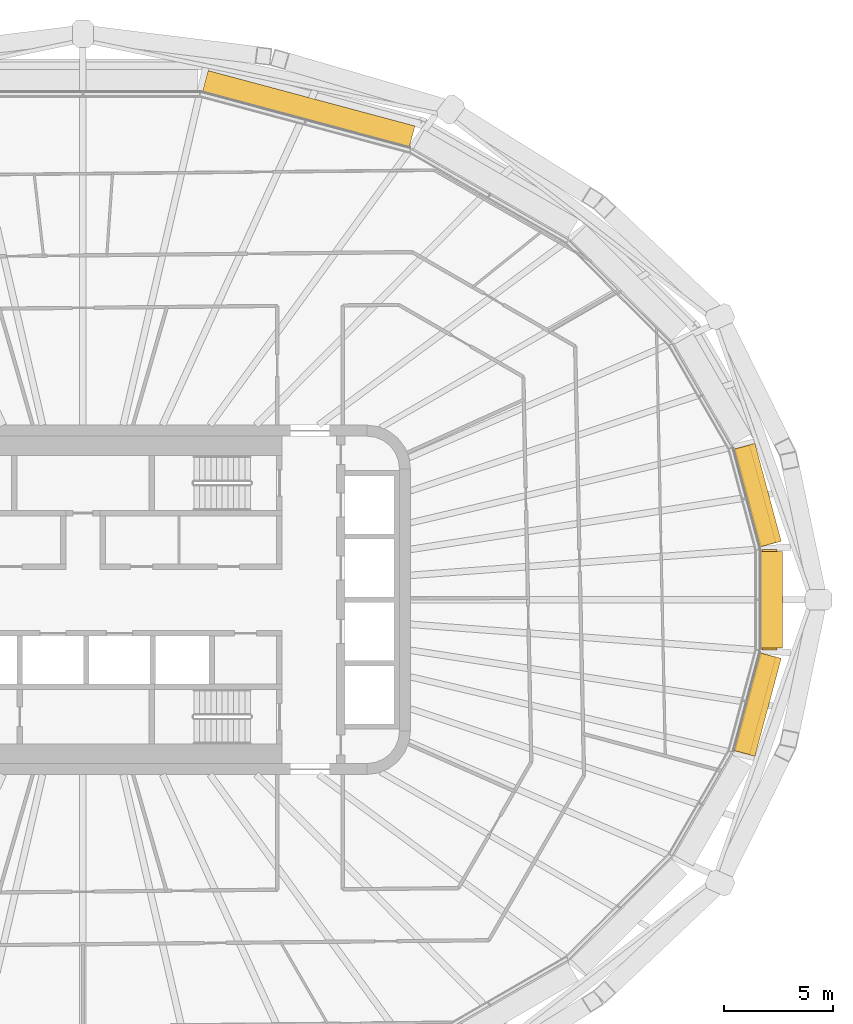
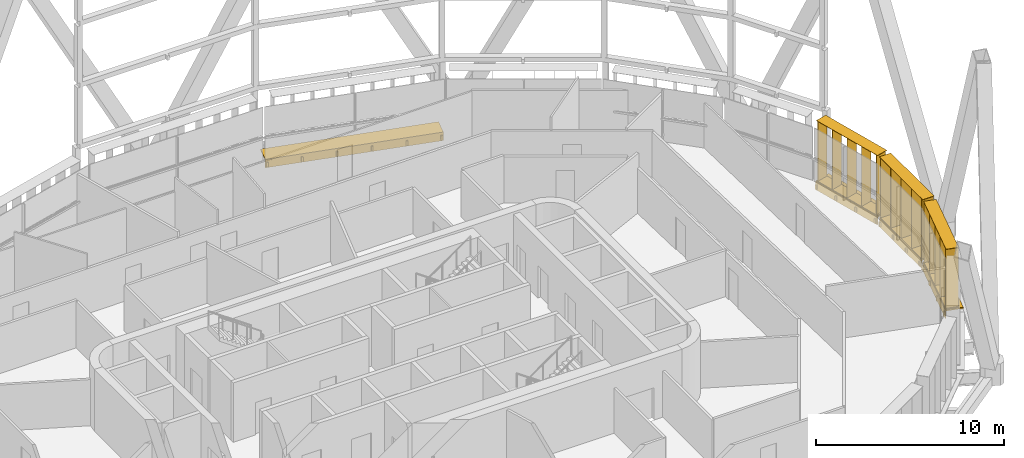
# One storey, part 25 of 25: 7 shading devices.
"""IFC4 building model written with IfcOpenShell, lengths in metres."""

from ifc_helpers import new_model, si_unit, direction, frame, origin, origin_2d, place, context, subcontext, project, spatial, rectangle, extrude, material, type_object, element, save


model = new_model("IFC4")

# Units and contexts
model_context = context("Model", 3, precision=1e-05, world=origin(), true_north=direction((0.0, 1.0)))
body_context = subcontext(model_context, "Body", "Model", "MODEL_VIEW")
ifc_project = project(units=[si_unit("LENGTHUNIT", "METRE"), si_unit("AREAUNIT", "SQUARE_METRE"), si_unit("VOLUMEUNIT", "CUBIC_METRE"), si_unit("PLANEANGLEUNIT", "RADIAN"), si_unit("MASSUNIT", "GRAM", prefix="KILO")], contexts=[model_context])

# Site, building, storey
site_placement = place(None, origin())
site = spatial("IfcSite", under=ifc_project, at=site_placement, CompositionType="ELEMENT")
building_placement = place(site_placement, origin())
building = spatial("IfcBuilding", under=site, at=building_placement, Name="Sahrelin Media Tower", CompositionType="ELEMENT")
storey_placement = place(building_placement, frame((0.0, 0.0, 181.60009765625)))
storey = spatial("IfcBuildingStorey", under=building, at=storey_placement, Name="L38", CompositionType="ELEMENT", Elevation=181.60009765625)

# Shading devices
ifc_material = material(Name="Champagne anodised aluminium 6063-T6", Category="aluminium")
shading_device_type_1 = type_object("IfcShadingDeviceType", Name="Fin cassette", PredefinedType="USERDEFINED", material=ifc_material)
placement_1 = place(storey_placement, frame((31.015625, 0.0, 0.0), z_axis=(0.0, 0.0, 1.0), x_axis=(0.0, -1.0, 0.0)))
element("IfcShadingDevice", 1, at=placement_1, inside=storey, type_object=shading_device_type_1, Name="L38:FIN:L38-00", ObjectType="FIN", PredefinedType="USERDEFINED", context=body_context, shape_type="SweptSolid", body=[
    extrude(rectangle(XDim=4.60009765625, YDim=0.699951171875, at=origin_2d()), frame((0.0, 0.419921875, 0.0)), (0.0, 0.0, 1.0), 0.02001953125),
    extrude(rectangle(XDim=4.60009765625, YDim=0.699951171875, at=origin_2d()), frame((0.0, 0.419921875, 3.89990234375)), (0.0, 0.0, 1.0), 0.02001953125),
    extrude(rectangle(XDim=0.02001953125, YDim=0.699951171875, at=origin_2d()), frame((-2.199951171875, 0.419921875, 0.010009765625), z_axis=(0.0, 0.0, 1.0), x_axis=(1.0, 0.0, 0.0)), (0.0, 0.0, 1.0), 3.89990234375),
    extrude(rectangle(XDim=0.02001953125, YDim=0.699951171875, at=origin_2d()), frame((-1.10009765625, 0.419921875, 0.010009765625), z_axis=(0.0, 0.0, 1.0), x_axis=(1.0, 0.0, 0.0)), (0.0, 0.0, 1.0), 3.89990234375),
    extrude(rectangle(XDim=0.02001953125, YDim=0.699951171875, at=origin_2d()), frame((0.0, 0.419921875, 0.010009765625), z_axis=(0.0, 0.0, 1.0), x_axis=(1.0, 0.0, 0.0)), (0.0, 0.0, 1.0), 3.89990234375),
    extrude(rectangle(XDim=0.02001953125, YDim=0.699951171875, at=origin_2d()), frame((1.10009765625, 0.419921875, 0.010009765625), z_axis=(0.0, 0.0, 1.0), x_axis=(1.0, 0.0, 0.0)), (0.0, 0.0, 1.0), 3.89990234375),
    extrude(rectangle(XDim=0.02001953125, YDim=0.699951171875, at=origin_2d()), frame((2.199951171875, 0.419921875, 0.010009765625), z_axis=(0.0, 0.0, 1.0), x_axis=(1.0, 0.0, 0.0)), (0.0, 0.0, 1.0), 3.89990234375),
])
placement_2 = place(storey_placement, frame((30.388427734375, 4.65673828125, 0.0), z_axis=(0.0, 0.0, 1.0), x_axis=(0.258807731996, -0.965928857556, 0.0)))
element("IfcShadingDevice", 2, at=placement_2, inside=storey, type_object=shading_device_type_1, Name="L38:FIN:L38-01", ObjectType="FIN", PredefinedType="USERDEFINED", context=body_context, shape_type="SweptSolid", body=[
    extrude(rectangle(XDim=4.60009765625, YDim=0.699951171875, at=origin_2d()), frame((0.0, 0.419921875, 0.0)), (0.0, 0.0, 1.0), 0.02001953125),
    extrude(rectangle(XDim=4.60009765625, YDim=0.699951171875, at=origin_2d()), frame((0.0, 0.419921875, 3.89990234375)), (0.0, 0.0, 1.0), 0.02001953125),
    extrude(rectangle(XDim=0.02001953125, YDim=0.699951171875, at=origin_2d()), frame((-2.199951171875, 0.419921875, 0.010009765625), z_axis=(0.0, 0.0, 1.0), x_axis=(1.0, 0.0, 0.0)), (0.0, 0.0, 1.0), 3.89990234375),
    extrude(rectangle(XDim=0.02001953125, YDim=0.699951171875, at=origin_2d()), frame((-1.10009765625, 0.419921875, 0.010009765625), z_axis=(0.0, 0.0, 1.0), x_axis=(1.0, 0.0, 0.0)), (0.0, 0.0, 1.0), 3.89990234375),
    extrude(rectangle(XDim=0.02001953125, YDim=0.699951171875, at=origin_2d()), frame((0.0, 0.419921875, 0.010009765625), z_axis=(0.0, 0.0, 1.0), x_axis=(1.0, 0.0, 0.0)), (0.0, 0.0, 1.0), 3.89990234375),
    extrude(rectangle(XDim=0.02001953125, YDim=0.699951171875, at=origin_2d()), frame((1.10009765625, 0.419921875, 0.010009765625), z_axis=(0.0, 0.0, 1.0), x_axis=(1.0, 0.0, 0.0)), (0.0, 0.0, 1.0), 3.89990234375),
    extrude(rectangle(XDim=0.02001953125, YDim=0.699951171875, at=origin_2d()), frame((2.199951171875, 0.419921875, 0.010009765625), z_axis=(0.0, 0.0, 1.0), x_axis=(1.0, 0.0, 0.0)), (0.0, 0.0, 1.0), 3.89990234375),
])
placement_3 = place(storey_placement, frame((30.388427734375, -4.656982421875, 0.0), z_axis=(0.0, 0.0, 1.0), x_axis=(-0.258807731996, -0.965928857556, 0.0)))
element("IfcShadingDevice", 3, at=placement_3, inside=storey, type_object=shading_device_type_1, Name="L38:FIN:L38-23", ObjectType="FIN", PredefinedType="USERDEFINED", context=body_context, shape_type="SweptSolid", body=[
    extrude(rectangle(XDim=4.60009765625, YDim=0.699951171875, at=origin_2d()), frame((0.0, 0.419921875, 0.0)), (0.0, 0.0, 1.0), 0.02001953125),
    extrude(rectangle(XDim=4.60009765625, YDim=0.699951171875, at=origin_2d()), frame((0.0, 0.419921875, 3.89990234375)), (0.0, 0.0, 1.0), 0.02001953125),
    extrude(rectangle(XDim=0.02001953125, YDim=0.699951171875, at=origin_2d()), frame((-2.199951171875, 0.419921875, 0.010009765625), z_axis=(0.0, 0.0, 1.0), x_axis=(1.0, 0.0, 0.0)), (0.0, 0.0, 1.0), 3.89990234375),
    extrude(rectangle(XDim=0.02001953125, YDim=0.699951171875, at=origin_2d()), frame((-1.10009765625, 0.419921875, 0.010009765625), z_axis=(0.0, 0.0, 1.0), x_axis=(1.0, 0.0, 0.0)), (0.0, 0.0, 1.0), 3.89990234375),
    extrude(rectangle(XDim=0.02001953125, YDim=0.699951171875, at=origin_2d()), frame((0.0, 0.419921875, 0.010009765625), z_axis=(0.0, 0.0, 1.0), x_axis=(1.0, 0.0, 0.0)), (0.0, 0.0, 1.0), 3.89990234375),
    extrude(rectangle(XDim=0.02001953125, YDim=0.699951171875, at=origin_2d()), frame((1.10009765625, 0.419921875, 0.010009765625), z_axis=(0.0, 0.0, 1.0), x_axis=(1.0, 0.0, 0.0)), (0.0, 0.0, 1.0), 3.89990234375),
    extrude(rectangle(XDim=0.02001953125, YDim=0.699951171875, at=origin_2d()), frame((2.199951171875, 0.419921875, 0.010009765625), z_axis=(0.0, 0.0, 1.0), x_axis=(1.0, 0.0, 0.0)), (0.0, 0.0, 1.0), 3.89990234375),
])
shading_device_type_2 = type_object("IfcShadingDeviceType", Name="Sunshade band", PredefinedType="USERDEFINED", material=ifc_material)
element("IfcShadingDevice", 4, at=placement_1, inside=storey, type_object=shading_device_type_2, Name="L38:SUN:L38-00", ObjectType="SUNSHADE", PredefinedType="USERDEFINED", context=body_context, shape_type="SweptSolid", body=[
    extrude(rectangle(XDim=4.43310546875, YDim=0.050048828125, at=origin_2d()), frame((0.0, 0.044921875, -0.55126953125)), (0.0, 0.0, 1.0), 0.471435546875),
    extrude(rectangle(XDim=4.43310546875, YDim=1.0, at=origin_2d()), frame((0.0, 0.52001953125, -0.080078125)), (0.0, 0.0, 1.0), 0.080078125),
    extrude(rectangle(XDim=0.10009765625, YDim=0.074951171875, at=origin_2d()), frame((-2.11669921875, -0.017578125, -0.47021484375)), (0.0, 0.0, 1.0), 0.300048828125),
    extrude(rectangle(XDim=0.10009765625, YDim=0.074951171875, at=origin_2d()), frame((-0.70556640625, -0.017578125, -0.47021484375)), (0.0, 0.0, 1.0), 0.300048828125),
    extrude(rectangle(XDim=0.10009765625, YDim=0.074951171875, at=origin_2d()), frame((0.70556640625, -0.017578125, -0.47021484375)), (0.0, 0.0, 1.0), 0.300048828125),
    extrude(rectangle(XDim=0.10009765625, YDim=0.074951171875, at=origin_2d()), frame((2.11669921875, -0.017578125, -0.47021484375)), (0.0, 0.0, 1.0), 0.300048828125),
])
element("IfcShadingDevice", 5, at=placement_2, inside=storey, type_object=shading_device_type_2, Name="L38:SUN:L38-01", ObjectType="SUNSHADE", PredefinedType="USERDEFINED", context=body_context, shape_type="SweptSolid", body=[
    extrude(rectangle(XDim=4.6455078125, YDim=0.050048828125, at=origin_2d()), frame((0.0, 0.044921875, -0.55126953125)), (0.0, 0.0, 1.0), 0.471435546875),
    extrude(rectangle(XDim=4.6455078125, YDim=1.0, at=origin_2d()), frame((0.0, 0.52001953125, -0.080078125)), (0.0, 0.0, 1.0), 0.080078125),
    extrude(rectangle(XDim=0.10009765625, YDim=0.074951171875, at=origin_2d()), frame((-2.222900390625, -0.017578125, -0.47021484375)), (0.0, 0.0, 1.0), 0.300048828125),
    extrude(rectangle(XDim=0.10009765625, YDim=0.074951171875, at=origin_2d()), frame((-0.740966796875, -0.017578125, -0.47021484375)), (0.0, 0.0, 1.0), 0.300048828125),
    extrude(rectangle(XDim=0.10009765625, YDim=0.074951171875, at=origin_2d()), frame((0.740966796875, -0.017578125, -0.47021484375)), (0.0, 0.0, 1.0), 0.300048828125),
    extrude(rectangle(XDim=0.10009765625, YDim=0.074951171875, at=origin_2d()), frame((2.222900390625, -0.017578125, -0.47021484375)), (0.0, 0.0, 1.0), 0.300048828125),
])
shading_device_6_placement = place(storey_placement, frame((10.203857421875, 21.97900390625, 0.0), z_axis=(0.0, 0.0, 1.0), x_axis=(0.965928857556, -0.258807731996, 0.0)))
element("IfcShadingDevice", 6, at=shading_device_6_placement, inside=storey, type_object=shading_device_type_2, Name="L38:SUN:L38-05", ObjectType="SUNSHADE", PredefinedType="USERDEFINED", context=body_context, shape_type="SweptSolid", body=[
    extrude(rectangle(XDim=9.805908203125, YDim=0.050048828125, at=origin_2d()), frame((0.0, 0.044921875, -0.55126953125)), (0.0, 0.0, 1.0), 0.471435546875),
    extrude(rectangle(XDim=9.805908203125, YDim=1.0, at=origin_2d()), frame((0.0, 0.52001953125, -0.080078125)), (0.0, 0.0, 1.0), 0.080078125),
    extrude(rectangle(XDim=0.10009765625, YDim=0.074951171875, at=origin_2d()), frame((-4.802978515625, -0.017578125, -0.47021484375)), (0.0, 0.0, 1.0), 0.300048828125),
    extrude(rectangle(XDim=0.10009765625, YDim=0.074951171875, at=origin_2d()), frame((-2.8818359375, -0.017578125, -0.47021484375)), (0.0, 0.0, 1.0), 0.300048828125),
    extrude(rectangle(XDim=0.10009765625, YDim=0.074951171875, at=origin_2d()), frame((-0.960693359375, -0.017578125, -0.47021484375)), (0.0, 0.0, 1.0), 0.300048828125),
    extrude(rectangle(XDim=0.10009765625, YDim=0.074951171875, at=origin_2d()), frame((0.960693359375, -0.017578125, -0.47021484375)), (0.0, 0.0, 1.0), 0.300048828125),
    extrude(rectangle(XDim=0.10009765625, YDim=0.074951171875, at=origin_2d()), frame((2.8818359375, -0.017578125, -0.47021484375)), (0.0, 0.0, 1.0), 0.300048828125),
    extrude(rectangle(XDim=0.10009765625, YDim=0.074951171875, at=origin_2d()), frame((4.802978515625, -0.017578125, -0.47021484375)), (0.0, 0.0, 1.0), 0.300048828125),
])
element("IfcShadingDevice", 7, at=placement_3, inside=storey, type_object=shading_device_type_2, Name="L38:SUN:L38-23", ObjectType="SUNSHADE", PredefinedType="USERDEFINED", context=body_context, shape_type="SweptSolid", body=[
    extrude(rectangle(XDim=4.6455078125, YDim=0.050048828125, at=origin_2d()), frame((0.0, 0.044921875, -0.55126953125)), (0.0, 0.0, 1.0), 0.471435546875),
    extrude(rectangle(XDim=4.6455078125, YDim=1.0, at=origin_2d()), frame((0.0, 0.52001953125, -0.080078125)), (0.0, 0.0, 1.0), 0.080078125),
    extrude(rectangle(XDim=0.10009765625, YDim=0.074951171875, at=origin_2d()), frame((-2.222900390625, -0.017578125, -0.47021484375)), (0.0, 0.0, 1.0), 0.300048828125),
    extrude(rectangle(XDim=0.10009765625, YDim=0.074951171875, at=origin_2d()), frame((-0.740966796875, -0.017578125, -0.47021484375)), (0.0, 0.0, 1.0), 0.300048828125),
    extrude(rectangle(XDim=0.10009765625, YDim=0.074951171875, at=origin_2d()), frame((0.740966796875, -0.017578125, -0.47021484375)), (0.0, 0.0, 1.0), 0.300048828125),
    extrude(rectangle(XDim=0.10009765625, YDim=0.074951171875, at=origin_2d()), frame((2.222900390625, -0.017578125, -0.47021484375)), (0.0, 0.0, 1.0), 0.300048828125),
])

save(model, "model.ifc")
